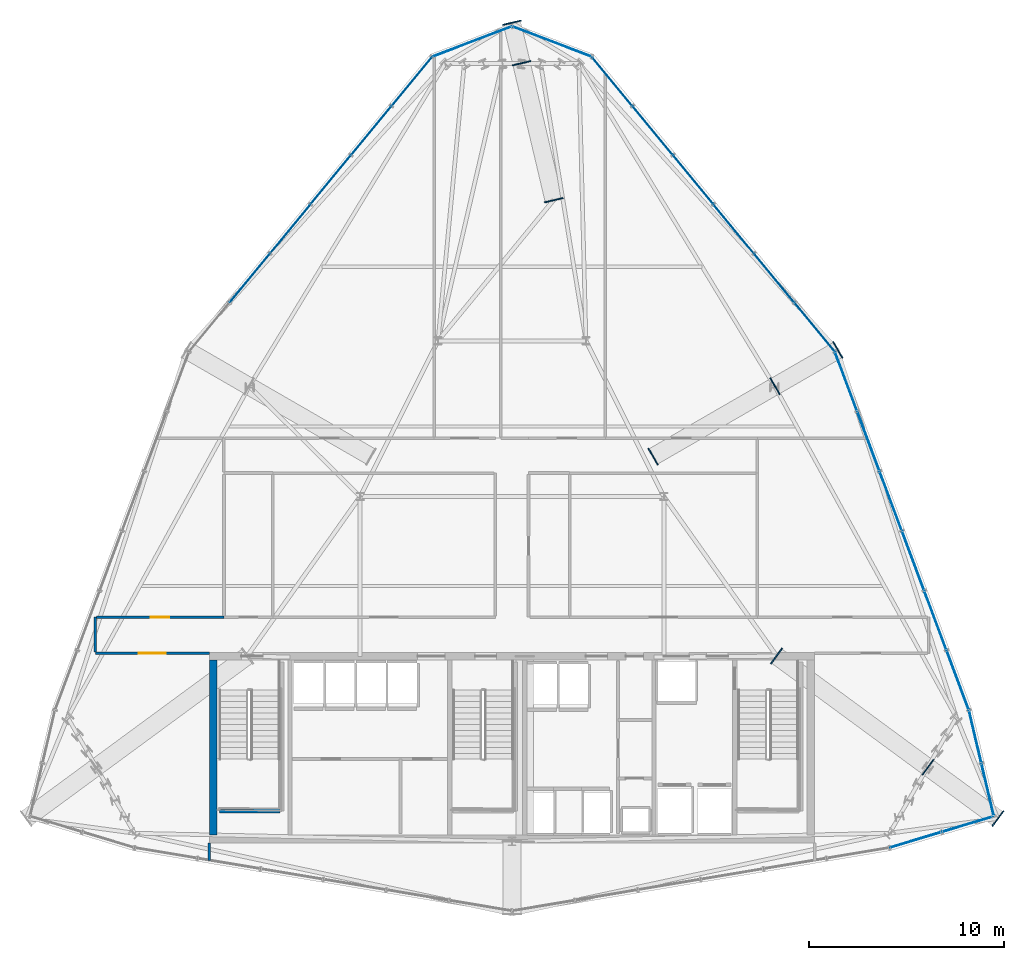
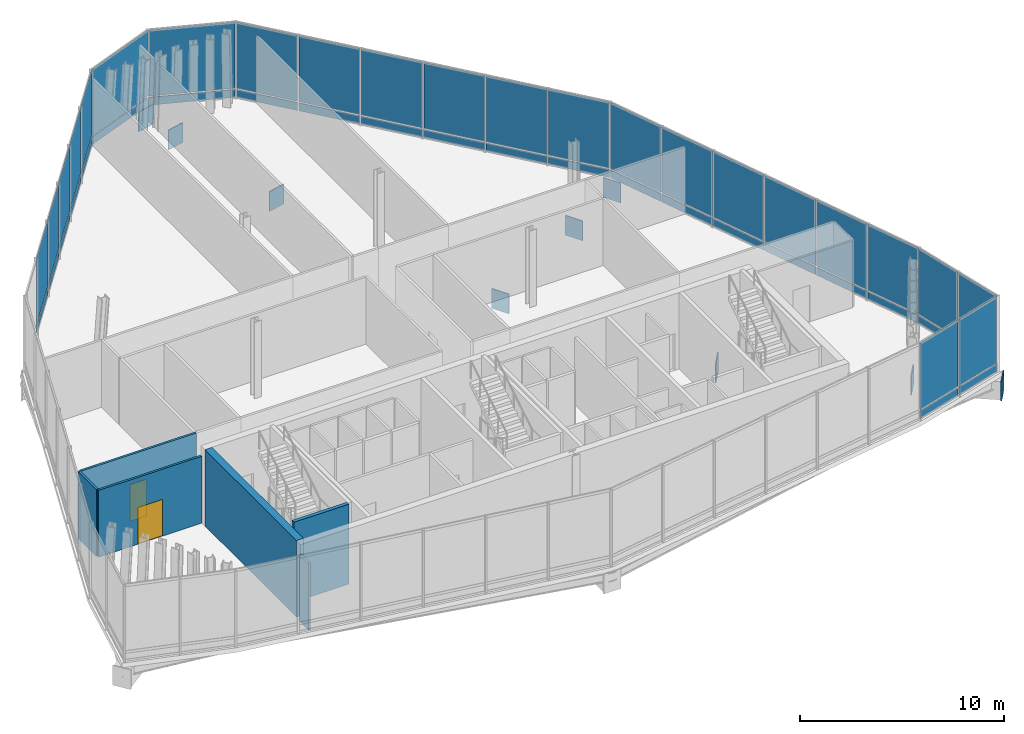
# One storey, part 22 of 28: 55 plates, 6 walls, 2 doors, 2 openings, 7 elements without a shape of their own.
"""IFC4 building model written with IfcOpenShell, lengths in metres."""

from ifc_helpers import new_model, si_unit, direction, frame, frame_2d, origin, origin_2d, place, context, subcontext, project, spatial, rectangle, extrude, material, layer, layer_set, type_object, element, fill, aggregate, save


model = new_model("IFC4")

# Units and contexts
model_context = context("Model", 3, precision=1e-05, world=origin(), true_north=direction((0.0, 1.0)))
body_context = subcontext(model_context, "Body", "Model", "MODEL_VIEW")
ifc_project = project(units=[si_unit("LENGTHUNIT", "METRE"), si_unit("AREAUNIT", "SQUARE_METRE"), si_unit("VOLUMEUNIT", "CUBIC_METRE"), si_unit("PLANEANGLEUNIT", "RADIAN"), si_unit("MASSUNIT", "GRAM", prefix="KILO")], contexts=[model_context])

# Site, building, storey
site_placement = place(None, origin())
site = spatial("IfcSite", under=ifc_project, at=site_placement, CompositionType="ELEMENT")
building_placement = place(site_placement, origin())
building = spatial("IfcBuilding", under=site, at=building_placement, Name="Ndaravel Arena Tower", CompositionType="ELEMENT")
storey_placement = place(building_placement, frame((0.0, 0.0, 213.199951171875)))
storey = spatial("IfcBuildingStorey", under=building, at=storey_placement, Name="L51", CompositionType="ELEMENT", Elevation=213.199951171875)

# Plates
ifc_material_1 = material(Name="Steel S460", Category="steel")
ifc_layer_1 = layer(ifc_material_1, 0.06005859375)
ifc_layer_set_1 = layer_set([ifc_layer_1], Name="Steel S460")
plate_type_1 = type_object("IfcPlateType", Name="PLT-CAP-STF1", PredefinedType="USERDEFINED", material=ifc_layer_set_1)
for number, where, z_axis, x_axis, name in (
    (1, (55.59130859375, 15.0087890625, -1.419921875), (0.0, 0.0, 1.0), (0.805824944182, -0.592153830802, 0.0), "L51 Hollow Section Sealed End Cap Plate HCP-065"),
    (2, (63.3701171875, 9.2919921875, -1.419921875), (0.0, 0.0, 1.0), (0.805824944182, -0.592153830802, 0.0), "L51 Hollow Section Sealed End Cap Plate HCP-066"),
    (3, (66.96142578125, 6.65234375, -1.419921875), (0.0, 0.0, 1.0), (0.805824944182, -0.592153830802, 0.0), "L51 Hollow Section Sealed End Cap Plate HCP-067"),
    (4, (49.24951171875, 25.251220703125, -1.419921875), (0.0, 0.0, 1.0), (0.866025403784, 0.5, 0.0), "L51 Hollow Section Sealed End Cap Plate HCP-068"),
    (5, (55.5107421875, 28.8662109375, -1.419921875), (0.0, 0.0, 1.0), (0.866025403784, 0.5, 0.0), "L51 Hollow Section Sealed End Cap Plate HCP-069"),
    (6, (58.740966796875, 30.731201171875, -1.419921875), (0.0, 0.0, 1.0), (0.866025403784, 0.5, 0.0), "L51 Hollow Section Sealed End Cap Plate HCP-070"),
    (7, (44.145263671875, 38.422119140625, -1.419921875), (0.0, 0.0, 1.0), (-0.22937027416, 0.973339240621, 0.0), "L51 Hollow Section Sealed End Cap Plate HCP-071"),
    (8, (42.48681640625, 45.45947265625, -1.419921875), (0.0, 0.0, 1.0), (-0.22937027416, 0.973339240621, 0.0), "L51 Hollow Section Sealed End Cap Plate HCP-072"),
    (9, (41.99658203125, 47.539306640625, -1.419921875), (0.0, 0.0, 1.0), (-0.22937027416, 0.973339240621, 0.0), "L51 Hollow Section Sealed End Cap Plate HCP-073"),
):
    element("IfcPlate", number, at=place(storey_placement, frame(where, z_axis=z_axis, x_axis=x_axis)), inside=storey, type_object=plate_type_1, Name=name, ObjectType="STIFFENER_PLATE", PredefinedType="USERDEFINED", context=body_context, shape_type="SweptSolid", body=[
        extrude(rectangle(XDim=0.06005859375, YDim=0.97998046875, at=origin_2d()), origin(), (0.0, 0.0, 1.0), 1.179931640625),
    ])

# Curtain wall, plates
ifc_material_2 = material(Name="Aluminium", Category="aluminium")
ifc_layer_2 = layer(ifc_material_2, 0.179931640625)
ifc_layer_set_2 = layer_set([ifc_layer_2], Name="Aluminium")
curtain_wall_type = type_object("IfcCurtainWallType", Name="CW-SYS-04", PredefinedType="NOTDEFINED", material=ifc_layer_set_2)
curtain_wall_1_placement = place(storey_placement, origin())
curtain_wall_1 = element("IfcCurtainWall", 10, at=curtain_wall_1_placement, inside=storey, type_object=curtain_wall_type, Name="L51 Faceted Crystal Curtain Wall CW-L51-E04", PredefinedType="NOTDEFINED")
ifc_material_3 = material(Name="Glazing", Category="glass")
ifc_layer_3 = layer(ifc_material_3, 0.0400390625)
ifc_layer_set_3 = layer_set([ifc_layer_3], Name="Glazing")
plate_type_2 = type_object("IfcPlateType", Name="PLT-GLZ-LOWIRON", PredefinedType="CURTAIN_PANEL", material=ifc_layer_set_3)
plate_1_placement = place(storey_placement, frame((62.734375, 5.559814453125, 0.58984375), z_axis=(0.0, 0.0, 1.0), x_axis=(0.957576390633, 0.288179555317, 0.0)))
plate_1 = element("IfcPlate", 11, at=plate_1_placement, type_object=plate_type_2, Name="CW-L51-E04 Vision Glass Panel 01", PredefinedType="CURTAIN_PANEL", context=body_context, shape_type="SweptSolid", body=[
    extrude(rectangle(XDim=2.72216796875, YDim=0.035888671875, at=origin_2d()), origin(), (0.0, 0.0, 1.0), 3.949951171875),
])
plate_2_placement = place(storey_placement, frame((65.41748046875, 6.367431640625, 0.58984375), z_axis=(0.0, 0.0, 1.0), x_axis=(0.957576390633, 0.288179555317, 0.0)))
plate_2 = element("IfcPlate", 12, at=plate_2_placement, type_object=plate_type_2, Name="CW-L51-E04 Vision Glass Panel 02", PredefinedType="CURTAIN_PANEL", context=body_context, shape_type="SweptSolid", body=[
    extrude(rectangle(XDim=2.72216796875, YDim=0.035888671875, at=origin_2d()), origin(), (0.0, 0.0, 1.0), 3.949951171875),
])

curtain_wall_2_placement = place(storey_placement, origin())
curtain_wall_2 = element("IfcCurtainWall", 13, at=curtain_wall_2_placement, inside=storey, type_object=curtain_wall_type, Name="L51 Faceted Crystal Curtain Wall CW-L51-E05", PredefinedType="NOTDEFINED")
plate_3_placement = place(storey_placement, frame((66.43798828125, 8.135009765625, 0.58984375), z_axis=(0.0, 0.0, 1.0), x_axis=(-0.22921737956, 0.973375258011, 0.0)))
plate_3 = element("IfcPlate", 14, at=plate_3_placement, type_object=plate_type_2, Name="CW-L51-E05 Vision Glass Panel 01", PredefinedType="CURTAIN_PANEL", context=body_context, shape_type="SweptSolid", body=[
    extrude(rectangle(XDim=2.72216796875, YDim=0.035888671875, at=origin_2d()), origin(), (0.0, 0.0, 1.0), 3.949951171875),
])
plate_4_placement = place(storey_placement, frame((65.795654296875, 10.8623046875, 0.58984375), z_axis=(0.0, 0.0, 1.0), x_axis=(-0.22921737956, 0.973375258011, 0.0)))
plate_4 = element("IfcPlate", 15, at=plate_4_placement, type_object=plate_type_2, Name="CW-L51-E05 Vision Glass Panel 02", PredefinedType="CURTAIN_PANEL", context=body_context, shape_type="SweptSolid", body=[
    extrude(rectangle(XDim=2.72216796875, YDim=0.035888671875, at=origin_2d()), origin(), (0.0, 0.0, 1.0), 3.949951171875),
])

curtain_wall_3_placement = place(storey_placement, origin())
curtain_wall_3 = element("IfcCurtainWall", 16, at=curtain_wall_3_placement, inside=storey, type_object=curtain_wall_type, Name="L51 Faceted Crystal Curtain Wall CW-L51-E06", PredefinedType="NOTDEFINED")
plate_5_placement = place(storey_placement, frame((64.900634765625, 13.7607421875, 0.58984375), z_axis=(0.0, 0.0, 1.0), x_axis=(-0.350272772461, 0.936647737878, 0.0)))
plate_5 = element("IfcPlate", 17, at=plate_5_placement, type_object=plate_type_2, Name="CW-L51-E06 Vision Glass Panel 01", PredefinedType="CURTAIN_PANEL", context=body_context, shape_type="SweptSolid", body=[
    extrude(rectangle(XDim=3.197021484375, YDim=0.035888671875, at=origin_2d()), origin(), (0.0, 0.0, 1.0), 3.949951171875),
])
plate_6_placement = place(storey_placement, frame((63.752685546875, 16.830078125, 0.58984375), z_axis=(0.0, 0.0, 1.0), x_axis=(-0.350272772461, 0.936647737878, 0.0)))
plate_6 = element("IfcPlate", 18, at=plate_6_placement, type_object=plate_type_2, Name="CW-L51-E06 Vision Glass Panel 02", PredefinedType="CURTAIN_PANEL", context=body_context, shape_type="SweptSolid", body=[
    extrude(rectangle(XDim=3.197021484375, YDim=0.035888671875, at=origin_2d()), origin(), (0.0, 0.0, 1.0), 3.949951171875),
])
plate_7_placement = place(storey_placement, frame((62.60498046875, 19.899658203125, 0.58984375), z_axis=(0.0, 0.0, 1.0), x_axis=(-0.350272772461, 0.936647737878, 0.0)))
plate_7 = element("IfcPlate", 19, at=plate_7_placement, type_object=plate_type_2, Name="CW-L51-E06 Vision Glass Panel 03", PredefinedType="CURTAIN_PANEL", context=body_context, shape_type="SweptSolid", body=[
    extrude(rectangle(XDim=3.197021484375, YDim=0.035888671875, at=origin_2d()), origin(), (0.0, 0.0, 1.0), 3.949951171875),
])
plate_8_placement = place(storey_placement, frame((61.45703125, 22.968994140625, 0.58984375), z_axis=(0.0, 0.0, 1.0), x_axis=(-0.350272772461, 0.936647737878, 0.0)))
plate_8 = element("IfcPlate", 20, at=plate_8_placement, type_object=plate_type_2, Name="CW-L51-E06 Vision Glass Panel 04", PredefinedType="CURTAIN_PANEL", context=body_context, shape_type="SweptSolid", body=[
    extrude(rectangle(XDim=3.197021484375, YDim=0.035888671875, at=origin_2d()), origin(), (0.0, 0.0, 1.0), 3.949951171875),
])
plate_9_placement = place(storey_placement, frame((60.30908203125, 26.03857421875, 0.58984375), z_axis=(0.0, 0.0, 1.0), x_axis=(-0.350272772461, 0.936647737878, 0.0)))
plate_9 = element("IfcPlate", 21, at=plate_9_placement, type_object=plate_type_2, Name="CW-L51-E06 Vision Glass Panel 05", PredefinedType="CURTAIN_PANEL", context=body_context, shape_type="SweptSolid", body=[
    extrude(rectangle(XDim=3.197021484375, YDim=0.035888671875, at=origin_2d()), origin(), (0.0, 0.0, 1.0), 3.949951171875),
])
plate_10_placement = place(storey_placement, frame((59.161376953125, 29.10791015625, 0.58984375), z_axis=(0.0, 0.0, 1.0), x_axis=(-0.350272772461, 0.936647737878, 0.0)))
plate_10 = element("IfcPlate", 22, at=plate_10_placement, type_object=plate_type_2, Name="CW-L51-E06 Vision Glass Panel 06", PredefinedType="CURTAIN_PANEL", context=body_context, shape_type="SweptSolid", body=[
    extrude(rectangle(XDim=3.197021484375, YDim=0.035888671875, at=origin_2d()), origin(), (0.0, 0.0, 1.0), 3.949951171875),
])

curtain_wall_4_placement = place(storey_placement, origin())
curtain_wall_4 = element("IfcCurtainWall", 23, at=curtain_wall_4_placement, inside=storey, type_object=curtain_wall_type, Name="L51 Faceted Crystal Curtain Wall CW-L51-E07", PredefinedType="NOTDEFINED")
plate_11_placement = place(storey_placement, frame((57.547119140625, 31.90478515625, 0.58984375), z_axis=(0.0, 0.0, 1.0), x_axis=(-0.636024349169, 0.771668988144, 0.0)))
plate_11 = element("IfcPlate", 24, at=plate_11_placement, type_object=plate_type_2, Name="CW-L51-E07 Vision Glass Panel 01", PredefinedType="CURTAIN_PANEL", context=body_context, shape_type="SweptSolid", body=[
    extrude(rectangle(XDim=3.191650390625, YDim=0.035888671875, at=origin_2d()), origin(), (0.0, 0.0, 1.0), 3.949951171875),
])
plate_12_placement = place(storey_placement, frame((55.466064453125, 34.429443359375, 0.58984375), z_axis=(0.0, 0.0, 1.0), x_axis=(-0.636024349169, 0.771668988144, 0.0)))
plate_12 = element("IfcPlate", 25, at=plate_12_placement, type_object=plate_type_2, Name="CW-L51-E07 Vision Glass Panel 02", PredefinedType="CURTAIN_PANEL", context=body_context, shape_type="SweptSolid", body=[
    extrude(rectangle(XDim=3.191650390625, YDim=0.035888671875, at=origin_2d()), origin(), (0.0, 0.0, 1.0), 3.949951171875),
])
plate_13_placement = place(storey_placement, frame((53.38525390625, 36.9541015625, 0.58984375), z_axis=(0.0, 0.0, 1.0), x_axis=(-0.636024349169, 0.771668988144, 0.0)))
plate_13 = element("IfcPlate", 26, at=plate_13_placement, type_object=plate_type_2, Name="CW-L51-E07 Vision Glass Panel 03", PredefinedType="CURTAIN_PANEL", context=body_context, shape_type="SweptSolid", body=[
    extrude(rectangle(XDim=3.191650390625, YDim=0.035888671875, at=origin_2d()), origin(), (0.0, 0.0, 1.0), 3.949951171875),
])
plate_14_placement = place(storey_placement, frame((51.304443359375, 39.478759765625, 0.58984375), z_axis=(0.0, 0.0, 1.0), x_axis=(-0.636024349169, 0.771668988144, 0.0)))
plate_14 = element("IfcPlate", 27, at=plate_14_placement, type_object=plate_type_2, Name="CW-L51-E07 Vision Glass Panel 04", PredefinedType="CURTAIN_PANEL", context=body_context, shape_type="SweptSolid", body=[
    extrude(rectangle(XDim=3.191650390625, YDim=0.035888671875, at=origin_2d()), origin(), (0.0, 0.0, 1.0), 3.949951171875),
])
plate_15_placement = place(storey_placement, frame((49.2236328125, 42.00341796875, 0.58984375), z_axis=(0.0, 0.0, 1.0), x_axis=(-0.636024349169, 0.771668988144, 0.0)))
plate_15 = element("IfcPlate", 28, at=plate_15_placement, type_object=plate_type_2, Name="CW-L51-E07 Vision Glass Panel 05", PredefinedType="CURTAIN_PANEL", context=body_context, shape_type="SweptSolid", body=[
    extrude(rectangle(XDim=3.191650390625, YDim=0.035888671875, at=origin_2d()), origin(), (0.0, 0.0, 1.0), 3.949951171875),
])
plate_16_placement = place(storey_placement, frame((47.142578125, 44.528076171875, 0.58984375), z_axis=(0.0, 0.0, 1.0), x_axis=(-0.636024349169, 0.771668988144, 0.0)))
plate_16 = element("IfcPlate", 29, at=plate_16_placement, type_object=plate_type_2, Name="CW-L51-E07 Vision Glass Panel 06", PredefinedType="CURTAIN_PANEL", context=body_context, shape_type="SweptSolid", body=[
    extrude(rectangle(XDim=3.191650390625, YDim=0.035888671875, at=origin_2d()), origin(), (0.0, 0.0, 1.0), 3.949951171875),
])

# Curtain wall, plate
curtain_wall_5_placement = place(storey_placement, origin())
curtain_wall_5 = element("IfcCurtainWall", 30, at=curtain_wall_5_placement, inside=storey, type_object=curtain_wall_type, Name="L51 Faceted Crystal Curtain Wall CW-L51-E08", PredefinedType="NOTDEFINED")
plate_17_placement = place(storey_placement, frame((44.051025390625, 46.572021484375, 0.58984375), z_axis=(0.0, 0.0, 1.0), x_axis=(-0.934453296747, 0.356085714679, 0.0)))
plate_17 = element("IfcPlate", 31, at=plate_17_placement, type_object=plate_type_2, Name="CW-L51-E08 Vision Glass Panel 01", PredefinedType="CURTAIN_PANEL", context=body_context, shape_type="SweptSolid", body=[
    extrude(rectangle(XDim=4.31005859375, YDim=0.035888671875, at=origin_2d()), origin(), (0.0, 0.0, 1.0), 3.949951171875),
])

curtain_wall_6_placement = place(storey_placement, origin())
curtain_wall_6 = element("IfcCurtainWall", 32, at=curtain_wall_6_placement, inside=storey, type_object=curtain_wall_type, Name="L51 Faceted Crystal Curtain Wall CW-L51-E09", PredefinedType="NOTDEFINED")
plate_18_placement = place(storey_placement, frame((39.948974609375, 46.572021484375, 0.58984375), z_axis=(0.0, 0.0, 1.0), x_axis=(-0.934453296747, -0.356085714679, 0.0)))
plate_18 = element("IfcPlate", 33, at=plate_18_placement, type_object=plate_type_2, Name="CW-L51-E09 Vision Glass Panel 01", PredefinedType="CURTAIN_PANEL", context=body_context, shape_type="SweptSolid", body=[
    extrude(rectangle(XDim=4.31005859375, YDim=0.035888671875, at=origin_2d()), origin(), (0.0, 0.0, 1.0), 3.949951171875),
])

# Curtain wall, plates
curtain_wall_7_placement = place(storey_placement, origin())
curtain_wall_7 = element("IfcCurtainWall", 34, at=curtain_wall_7_placement, inside=storey, type_object=curtain_wall_type, Name="L51 Faceted Crystal Curtain Wall CW-L51-E10", PredefinedType="NOTDEFINED")
plate_19_placement = place(storey_placement, frame((36.857421875, 44.528076171875, 0.58984375), z_axis=(0.0, 0.0, 1.0), x_axis=(-0.636024349169, -0.771668988144, 0.0)))
plate_19 = element("IfcPlate", 35, at=plate_19_placement, type_object=plate_type_2, Name="CW-L51-E10 Vision Glass Panel 01", PredefinedType="CURTAIN_PANEL", context=body_context, shape_type="SweptSolid", body=[
    extrude(rectangle(XDim=3.191650390625, YDim=0.035888671875, at=origin_2d()), origin(), (0.0, 0.0, 1.0), 3.949951171875),
])
plate_20_placement = place(storey_placement, frame((34.7763671875, 42.00341796875, 0.58984375), z_axis=(0.0, 0.0, 1.0), x_axis=(-0.636024349169, -0.771668988144, 0.0)))
plate_20 = element("IfcPlate", 36, at=plate_20_placement, type_object=plate_type_2, Name="CW-L51-E10 Vision Glass Panel 02", PredefinedType="CURTAIN_PANEL", context=body_context, shape_type="SweptSolid", body=[
    extrude(rectangle(XDim=3.191650390625, YDim=0.035888671875, at=origin_2d()), origin(), (0.0, 0.0, 1.0), 3.949951171875),
])
plate_21_placement = place(storey_placement, frame((32.695556640625, 39.478759765625, 0.58984375), z_axis=(0.0, 0.0, 1.0), x_axis=(-0.636024349169, -0.771668988144, 0.0)))
plate_21 = element("IfcPlate", 37, at=plate_21_placement, type_object=plate_type_2, Name="CW-L51-E10 Vision Glass Panel 03", PredefinedType="CURTAIN_PANEL", context=body_context, shape_type="SweptSolid", body=[
    extrude(rectangle(XDim=3.191650390625, YDim=0.035888671875, at=origin_2d()), origin(), (0.0, 0.0, 1.0), 3.949951171875),
])
plate_22_placement = place(storey_placement, frame((30.61474609375, 36.9541015625, 0.58984375), z_axis=(0.0, 0.0, 1.0), x_axis=(-0.636024349169, -0.771668988144, 0.0)))
plate_22 = element("IfcPlate", 38, at=plate_22_placement, type_object=plate_type_2, Name="CW-L51-E10 Vision Glass Panel 04", PredefinedType="CURTAIN_PANEL", context=body_context, shape_type="SweptSolid", body=[
    extrude(rectangle(XDim=3.191650390625, YDim=0.035888671875, at=origin_2d()), origin(), (0.0, 0.0, 1.0), 3.949951171875),
])
plate_23_placement = place(storey_placement, frame((28.533935546875, 34.429443359375, 0.58984375), z_axis=(0.0, 0.0, 1.0), x_axis=(-0.636024349169, -0.771668988144, 0.0)))
plate_23 = element("IfcPlate", 39, at=plate_23_placement, type_object=plate_type_2, Name="CW-L51-E10 Vision Glass Panel 05", PredefinedType="CURTAIN_PANEL", context=body_context, shape_type="SweptSolid", body=[
    extrude(rectangle(XDim=3.191650390625, YDim=0.035888671875, at=origin_2d()), origin(), (0.0, 0.0, 1.0), 3.949951171875),
])

# Plate
ifc_material_4 = material(Name="Aluminium", Category="aluminium")
ifc_layer_4 = layer(ifc_material_4, 0.044921875)
ifc_layer_set_4 = layer_set([ifc_layer_4], Name="Aluminium")
plate_type_3 = type_object("IfcPlateType", Name="PLT-SPANDREL-ALU", PredefinedType="SHEET", material=ifc_layer_set_4)
plate_24_placement = place(storey_placement, frame((62.734375, 5.559814453125, 0.0400390625), z_axis=(0.0, 0.0, 1.0), x_axis=(0.957576390633, 0.288179555317, 0.0)))
plate_24 = element("IfcPlate", 40, at=plate_24_placement, type_object=plate_type_3, Name="CW-L51-E04 Spandrel Panel 01", PredefinedType="SHEET", context=body_context, shape_type="SweptSolid", body=[
    extrude(rectangle(XDim=2.72216796875, YDim=0.044921875, at=origin_2d()), origin(), (0.0, 0.0, 1.0), 0.469970703125),
])

plate_25_placement = place(storey_placement, frame((65.41748046875, 6.367431640625, 0.0400390625), z_axis=(0.0, 0.0, 1.0), x_axis=(0.957576390633, 0.288179555317, 0.0)))
plate_25 = element("IfcPlate", 41, at=plate_25_placement, type_object=plate_type_3, Name="CW-L51-E04 Spandrel Panel 02", PredefinedType="SHEET", context=body_context, shape_type="SweptSolid", body=[
    extrude(rectangle(XDim=2.72216796875, YDim=0.044921875, at=origin_2d()), origin(), (0.0, 0.0, 1.0), 0.469970703125),
])

aggregate(curtain_wall_1, [plate_24, plate_1, plate_25, plate_2])

plate_26_placement = place(storey_placement, frame((66.43798828125, 8.135009765625, 0.0400390625), z_axis=(0.0, 0.0, 1.0), x_axis=(-0.22921737956, 0.973375258011, 0.0)))
plate_26 = element("IfcPlate", 42, at=plate_26_placement, type_object=plate_type_3, Name="CW-L51-E05 Spandrel Panel 01", PredefinedType="SHEET", context=body_context, shape_type="SweptSolid", body=[
    extrude(rectangle(XDim=2.72216796875, YDim=0.044921875, at=origin_2d()), origin(), (0.0, 0.0, 1.0), 0.469970703125),
])

plate_27_placement = place(storey_placement, frame((65.795654296875, 10.8623046875, 0.0400390625), z_axis=(0.0, 0.0, 1.0), x_axis=(-0.22921737956, 0.973375258011, 0.0)))
plate_27 = element("IfcPlate", 43, at=plate_27_placement, type_object=plate_type_3, Name="CW-L51-E05 Spandrel Panel 02", PredefinedType="SHEET", context=body_context, shape_type="SweptSolid", body=[
    extrude(rectangle(XDim=2.72216796875, YDim=0.044921875, at=origin_2d()), origin(), (0.0, 0.0, 1.0), 0.469970703125),
])

aggregate(curtain_wall_2, [plate_26, plate_3, plate_27, plate_4])

plate_28_placement = place(storey_placement, frame((64.900634765625, 13.7607421875, 0.0400390625), z_axis=(0.0, 0.0, 1.0), x_axis=(-0.350272772461, 0.936647737878, 0.0)))
plate_28 = element("IfcPlate", 44, at=plate_28_placement, type_object=plate_type_3, Name="CW-L51-E06 Spandrel Panel 01", PredefinedType="SHEET", context=body_context, shape_type="SweptSolid", body=[
    extrude(rectangle(XDim=3.197021484375, YDim=0.044921875, at=origin_2d()), origin(), (0.0, 0.0, 1.0), 0.469970703125),
])

plate_29_placement = place(storey_placement, frame((63.752685546875, 16.830078125, 0.0400390625), z_axis=(0.0, 0.0, 1.0), x_axis=(-0.350272772461, 0.936647737878, 0.0)))
plate_29 = element("IfcPlate", 45, at=plate_29_placement, type_object=plate_type_3, Name="CW-L51-E06 Spandrel Panel 02", PredefinedType="SHEET", context=body_context, shape_type="SweptSolid", body=[
    extrude(rectangle(XDim=3.197021484375, YDim=0.044921875, at=origin_2d()), origin(), (0.0, 0.0, 1.0), 0.469970703125),
])

plate_30_placement = place(storey_placement, frame((62.60498046875, 19.899658203125, 0.0400390625), z_axis=(0.0, 0.0, 1.0), x_axis=(-0.350272772461, 0.936647737878, 0.0)))
plate_30 = element("IfcPlate", 46, at=plate_30_placement, type_object=plate_type_3, Name="CW-L51-E06 Spandrel Panel 03", PredefinedType="SHEET", context=body_context, shape_type="SweptSolid", body=[
    extrude(rectangle(XDim=3.197021484375, YDim=0.044921875, at=origin_2d()), origin(), (0.0, 0.0, 1.0), 0.469970703125),
])

plate_31_placement = place(storey_placement, frame((61.45703125, 22.968994140625, 0.0400390625), z_axis=(0.0, 0.0, 1.0), x_axis=(-0.350272772461, 0.936647737878, 0.0)))
plate_31 = element("IfcPlate", 47, at=plate_31_placement, type_object=plate_type_3, Name="CW-L51-E06 Spandrel Panel 04", PredefinedType="SHEET", context=body_context, shape_type="SweptSolid", body=[
    extrude(rectangle(XDim=3.197021484375, YDim=0.044921875, at=origin_2d()), origin(), (0.0, 0.0, 1.0), 0.469970703125),
])

plate_32_placement = place(storey_placement, frame((60.30908203125, 26.03857421875, 0.0400390625), z_axis=(0.0, 0.0, 1.0), x_axis=(-0.350272772461, 0.936647737878, 0.0)))
plate_32 = element("IfcPlate", 48, at=plate_32_placement, type_object=plate_type_3, Name="CW-L51-E06 Spandrel Panel 05", PredefinedType="SHEET", context=body_context, shape_type="SweptSolid", body=[
    extrude(rectangle(XDim=3.197021484375, YDim=0.044921875, at=origin_2d()), origin(), (0.0, 0.0, 1.0), 0.469970703125),
])

plate_33_placement = place(storey_placement, frame((59.161376953125, 29.10791015625, 0.0400390625), z_axis=(0.0, 0.0, 1.0), x_axis=(-0.350272772461, 0.936647737878, 0.0)))
plate_33 = element("IfcPlate", 49, at=plate_33_placement, type_object=plate_type_3, Name="CW-L51-E06 Spandrel Panel 06", PredefinedType="SHEET", context=body_context, shape_type="SweptSolid", body=[
    extrude(rectangle(XDim=3.197021484375, YDim=0.044921875, at=origin_2d()), origin(), (0.0, 0.0, 1.0), 0.469970703125),
])

aggregate(curtain_wall_3, [plate_28, plate_5, plate_29, plate_6, plate_30, plate_7, plate_31, plate_8, plate_32, plate_9, plate_33, plate_10])

plate_34_placement = place(storey_placement, frame((57.547119140625, 31.90478515625, 0.0400390625), z_axis=(0.0, 0.0, 1.0), x_axis=(-0.636024349169, 0.771668988144, 0.0)))
plate_34 = element("IfcPlate", 50, at=plate_34_placement, type_object=plate_type_3, Name="CW-L51-E07 Spandrel Panel 01", PredefinedType="SHEET", context=body_context, shape_type="SweptSolid", body=[
    extrude(rectangle(XDim=3.191650390625, YDim=0.044921875, at=origin_2d()), origin(), (0.0, 0.0, 1.0), 0.469970703125),
])

plate_35_placement = place(storey_placement, frame((55.466064453125, 34.429443359375, 0.0400390625), z_axis=(0.0, 0.0, 1.0), x_axis=(-0.636024349169, 0.771668988144, 0.0)))
plate_35 = element("IfcPlate", 51, at=plate_35_placement, type_object=plate_type_3, Name="CW-L51-E07 Spandrel Panel 02", PredefinedType="SHEET", context=body_context, shape_type="SweptSolid", body=[
    extrude(rectangle(XDim=3.191650390625, YDim=0.044921875, at=origin_2d()), origin(), (0.0, 0.0, 1.0), 0.469970703125),
])

plate_36_placement = place(storey_placement, frame((53.38525390625, 36.9541015625, 0.0400390625), z_axis=(0.0, 0.0, 1.0), x_axis=(-0.636024349169, 0.771668988144, 0.0)))
plate_36 = element("IfcPlate", 52, at=plate_36_placement, type_object=plate_type_3, Name="CW-L51-E07 Spandrel Panel 03", PredefinedType="SHEET", context=body_context, shape_type="SweptSolid", body=[
    extrude(rectangle(XDim=3.191650390625, YDim=0.044921875, at=origin_2d()), origin(), (0.0, 0.0, 1.0), 0.469970703125),
])

plate_37_placement = place(storey_placement, frame((51.304443359375, 39.478759765625, 0.0400390625), z_axis=(0.0, 0.0, 1.0), x_axis=(-0.636024349169, 0.771668988144, 0.0)))
plate_37 = element("IfcPlate", 53, at=plate_37_placement, type_object=plate_type_3, Name="CW-L51-E07 Spandrel Panel 04", PredefinedType="SHEET", context=body_context, shape_type="SweptSolid", body=[
    extrude(rectangle(XDim=3.191650390625, YDim=0.044921875, at=origin_2d()), origin(), (0.0, 0.0, 1.0), 0.469970703125),
])

plate_38_placement = place(storey_placement, frame((49.2236328125, 42.00341796875, 0.0400390625), z_axis=(0.0, 0.0, 1.0), x_axis=(-0.636024349169, 0.771668988144, 0.0)))
plate_38 = element("IfcPlate", 54, at=plate_38_placement, type_object=plate_type_3, Name="CW-L51-E07 Spandrel Panel 05", PredefinedType="SHEET", context=body_context, shape_type="SweptSolid", body=[
    extrude(rectangle(XDim=3.191650390625, YDim=0.044921875, at=origin_2d()), origin(), (0.0, 0.0, 1.0), 0.469970703125),
])

plate_39_placement = place(storey_placement, frame((47.142578125, 44.528076171875, 0.0400390625), z_axis=(0.0, 0.0, 1.0), x_axis=(-0.636024349169, 0.771668988144, 0.0)))
plate_39 = element("IfcPlate", 55, at=plate_39_placement, type_object=plate_type_3, Name="CW-L51-E07 Spandrel Panel 06", PredefinedType="SHEET", context=body_context, shape_type="SweptSolid", body=[
    extrude(rectangle(XDim=3.191650390625, YDim=0.044921875, at=origin_2d()), origin(), (0.0, 0.0, 1.0), 0.469970703125),
])

aggregate(curtain_wall_4, [plate_34, plate_11, plate_35, plate_12, plate_36, plate_13, plate_37, plate_14, plate_38, plate_15, plate_39, plate_16])

plate_40_placement = place(storey_placement, frame((44.051025390625, 46.572021484375, 0.0400390625), z_axis=(0.0, 0.0, 1.0), x_axis=(-0.934453296747, 0.356085714679, 0.0)))
plate_40 = element("IfcPlate", 56, at=plate_40_placement, type_object=plate_type_3, Name="CW-L51-E08 Spandrel Panel 01", PredefinedType="SHEET", context=body_context, shape_type="SweptSolid", body=[
    extrude(rectangle(XDim=4.31005859375, YDim=0.044921875, at=origin_2d()), origin(), (0.0, 0.0, 1.0), 0.469970703125),
])

aggregate(curtain_wall_5, [plate_40, plate_17])

plate_41_placement = place(storey_placement, frame((39.948974609375, 46.572021484375, 0.0400390625), z_axis=(0.0, 0.0, 1.0), x_axis=(-0.934453296747, -0.356085714679, 0.0)))
plate_41 = element("IfcPlate", 57, at=plate_41_placement, type_object=plate_type_3, Name="CW-L51-E09 Spandrel Panel 01", PredefinedType="SHEET", context=body_context, shape_type="SweptSolid", body=[
    extrude(rectangle(XDim=4.31005859375, YDim=0.044921875, at=origin_2d()), origin(), (0.0, 0.0, 1.0), 0.469970703125),
])

aggregate(curtain_wall_6, [plate_41, plate_18])

plate_42_placement = place(storey_placement, frame((36.857421875, 44.528076171875, 0.0400390625), z_axis=(0.0, 0.0, 1.0), x_axis=(-0.636024349169, -0.771668988144, 0.0)))
plate_42 = element("IfcPlate", 58, at=plate_42_placement, type_object=plate_type_3, Name="CW-L51-E10 Spandrel Panel 01", PredefinedType="SHEET", context=body_context, shape_type="SweptSolid", body=[
    extrude(rectangle(XDim=3.191650390625, YDim=0.044921875, at=origin_2d()), origin(), (0.0, 0.0, 1.0), 0.469970703125),
])

plate_43_placement = place(storey_placement, frame((34.7763671875, 42.00341796875, 0.0400390625), z_axis=(0.0, 0.0, 1.0), x_axis=(-0.636024349169, -0.771668988144, 0.0)))
plate_43 = element("IfcPlate", 59, at=plate_43_placement, type_object=plate_type_3, Name="CW-L51-E10 Spandrel Panel 02", PredefinedType="SHEET", context=body_context, shape_type="SweptSolid", body=[
    extrude(rectangle(XDim=3.191650390625, YDim=0.044921875, at=origin_2d()), origin(), (0.0, 0.0, 1.0), 0.469970703125),
])

plate_44_placement = place(storey_placement, frame((32.695556640625, 39.478759765625, 0.0400390625), z_axis=(0.0, 0.0, 1.0), x_axis=(-0.636024349169, -0.771668988144, 0.0)))
plate_44 = element("IfcPlate", 60, at=plate_44_placement, type_object=plate_type_3, Name="CW-L51-E10 Spandrel Panel 03", PredefinedType="SHEET", context=body_context, shape_type="SweptSolid", body=[
    extrude(rectangle(XDim=3.191650390625, YDim=0.044921875, at=origin_2d()), origin(), (0.0, 0.0, 1.0), 0.469970703125),
])

plate_45_placement = place(storey_placement, frame((30.61474609375, 36.9541015625, 0.0400390625), z_axis=(0.0, 0.0, 1.0), x_axis=(-0.636024349169, -0.771668988144, 0.0)))
plate_45 = element("IfcPlate", 61, at=plate_45_placement, type_object=plate_type_3, Name="CW-L51-E10 Spandrel Panel 04", PredefinedType="SHEET", context=body_context, shape_type="SweptSolid", body=[
    extrude(rectangle(XDim=3.191650390625, YDim=0.044921875, at=origin_2d()), origin(), (0.0, 0.0, 1.0), 0.469970703125),
])

plate_46_placement = place(storey_placement, frame((28.533935546875, 34.429443359375, 0.0400390625), z_axis=(0.0, 0.0, 1.0), x_axis=(-0.636024349169, -0.771668988144, 0.0)))
plate_46 = element("IfcPlate", 62, at=plate_46_placement, type_object=plate_type_3, Name="CW-L51-E10 Spandrel Panel 05", PredefinedType="SHEET", context=body_context, shape_type="SweptSolid", body=[
    extrude(rectangle(XDim=3.191650390625, YDim=0.044921875, at=origin_2d()), origin(), (0.0, 0.0, 1.0), 0.469970703125),
])

aggregate(curtain_wall_7, [plate_42, plate_19, plate_43, plate_20, plate_44, plate_21, plate_45, plate_22, plate_46, plate_23])

# Wall
ifc_material_5 = material(Name="Concrete C50/60", Category="concrete")
ifc_layer_5 = layer(ifc_material_5, 0.39990234375)
ifc_layer_set_5 = layer_set([ifc_layer_5], Name="Concrete C50/60")
wall_type_1 = type_object("IfcWallType", Name="WALL-CORE-400", PredefinedType="SOLIDWALL", material=ifc_layer_set_5)
wall_1_placement = place(storey_placement, frame((26.64990234375, 5.800048828125, 0.0), z_axis=(0.0, 0.0, 1.0), x_axis=(0.0, 1.0, 0.0)))
element("IfcWall", 63, at=wall_1_placement, inside=storey, type_object=wall_type_1, Name="L51 Core West Shear Wall", PredefinedType="SOLIDWALL", context=body_context, shape_type="SweptSolid", body=[
    extrude(rectangle(XDim=9.0, YDim=0.39990234375, at=frame_2d((4.5, 0.0))), origin(), (0.0, 0.0, 1.0), 4.580078125),
])

# Wall, opening, door
ifc_material_6 = material(Name="Gypsum", Category="gypsum")
ifc_layer_6 = layer(ifc_material_6, 0.125)
ifc_layer_set_6 = layer_set([ifc_layer_6], Name="Gypsum")
wall_type_2 = type_object("IfcWallType", Name="WALL-PART-125", PredefinedType="PARTITIONING", material=ifc_layer_set_6)
wall_2_placement = place(storey_placement, frame((26.449951171875, 15.14990234375, 0.0), z_axis=(0.0, 0.0, 1.0), x_axis=(-1.0, 0.0, 0.0)))
wall_2 = element("IfcWall", 64, at=wall_2_placement, inside=storey, type_object=wall_type_2, Name="L51 Interior Partition 003", PredefinedType="PARTITIONING", context=body_context, shape_type="SweptSolid", body=[
    extrude(rectangle(XDim=5.85693359375, YDim=0.125, at=frame_2d((2.928466796875, 0.0))), origin(), (0.0, 0.0, 1.0), 4.010498046875),
])
opening_1_placement = place(wall_2_placement, frame((2.228515625, 0.0, 0.0)))
opening_1 = element("IfcOpeningElement", 65, at=opening_1_placement, cuts=wall_2, Name="Opening ID-02", PredefinedType="OPENING", context=body_context, shape_type="SweptSolid", body=[
    extrude(rectangle(XDim=1.39990234375, YDim=2.199951171875, at=frame_2d((0.699951171875, 1.10009765625))), frame((0.0, 0.0625, 0.0), z_axis=(0.0, -1.0, 0.0), x_axis=(1.0, 0.0, 0.0)), (0.0, 0.0, 1.0), 0.125),
])
ifc_material_7 = material(Name="Timber", Category="wood")
door_type_1 = type_object("IfcDoorType", Name="DT-04-SUITE-1400", OperationType="DOUBLE_DOOR_SINGLE_SWING", PredefinedType="DOOR", material=ifc_material_7)
door_1_placement = place(opening_1_placement, origin())
door_1 = element("IfcDoor", 66, at=door_1_placement, inside=storey, type_object=door_type_1, Name="L51 Collaborative Lounge Door", OperationType="SINGLE_SWING_RIGHT", OverallHeight=2.199951171875, OverallWidth=1.39990234375, PredefinedType="DOOR", context=body_context, shape_type="SweptSolid", body=[
    extrude(rectangle(XDim=1.39990234375, YDim=2.199951171875, at=frame_2d((0.699951171875, 1.10009765625))), frame((0.0, 0.02490234375, 0.0), z_axis=(0.0, -1.0, 0.0), x_axis=(1.0, 0.0, 0.0)), (0.0, 0.0, 1.0), 0.050048828125),
])
fill(opening_1, door_1)

# Wall
wall_3_placement = place(storey_placement, frame((20.593017578125, 15.215087890625, 0.0), z_axis=(0.0, 0.0, 1.0), x_axis=(0.0, 1.0, 0.0)))
element("IfcWall", 67, at=wall_3_placement, inside=storey, type_object=wall_type_2, Name="L51 Interior Partition 004", PredefinedType="PARTITIONING", context=body_context, shape_type="SweptSolid", body=[
    extrude(rectangle(XDim=1.784912109375, YDim=0.125, at=frame_2d((0.892578125, 0.0))), origin(), (0.0, 0.0, 1.0), 4.010498046875),
])

# Wall, opening, door
wall_4_placement = place(storey_placement, frame((20.657958984375, 17.0, 0.0), z_axis=(0.0, 0.0, 1.0), x_axis=(1.0, 0.0, 0.0)))
wall_4 = element("IfcWall", 68, at=wall_4_placement, inside=storey, type_object=wall_type_2, Name="L51 Interior Partition 005", PredefinedType="PARTITIONING", context=body_context, shape_type="SweptSolid", body=[
    extrude(rectangle(XDim=6.5419921875, YDim=0.125, at=frame_2d((3.27099609375, 0.0))), origin(), (0.0, 0.0, 1.0), 4.010498046875),
])
opening_2_placement = place(wall_4_placement, frame((2.7958984375, 0.0, 0.0)))
opening_2 = element("IfcOpeningElement", 69, at=opening_2_placement, cuts=wall_4, Name="Opening ID-01", PredefinedType="OPENING", context=body_context, shape_type="SweptSolid", body=[
    extrude(rectangle(XDim=0.949951171875, YDim=2.199951171875, at=frame_2d((0.47509765625, 1.10009765625))), frame((0.0, 0.0625, 0.0), z_axis=(0.0, -1.0, 0.0), x_axis=(1.0, 0.0, 0.0)), (0.0, 0.0, 1.0), 0.125),
])
ifc_material_8 = material(Name="Timber", Category="wood")
door_type_2 = type_object("IfcDoorType", Name="DT-03-OFFICE-950", OperationType="SINGLE_SWING_LEFT", PredefinedType="DOOR", material=ifc_material_8)
door_2_placement = place(opening_2_placement, origin())
door_2 = element("IfcDoor", 70, at=door_2_placement, inside=storey, type_object=door_type_2, Name="L51 Hospitality Sitting Room 2 Door", OperationType="SINGLE_SWING_RIGHT", OverallHeight=2.199951171875, OverallWidth=0.949951171875, PredefinedType="DOOR", context=body_context, shape_type="SweptSolid", body=[
    extrude(rectangle(XDim=0.949951171875, YDim=2.199951171875, at=frame_2d((0.47509765625, 1.10009765625))), frame((0.0, 0.02490234375, 0.0), z_axis=(0.0, -1.0, 0.0), x_axis=(1.0, 0.0, 0.0)), (0.0, 0.0, 1.0), 0.050048828125),
])
fill(opening_2, door_2)

# Walls
wall_5_placement = place(storey_placement, frame((26.449951171875, 5.39794921875, 0.0), z_axis=(0.0, 0.0, 1.0), x_axis=(0.0, -1.0, 0.0)))
element("IfcWall", 71, at=wall_5_placement, inside=storey, type_object=wall_type_2, Name="L51 Interior Partition 024", PredefinedType="PARTITIONING", context=body_context, shape_type="SweptSolid", body=[
    extrude(rectangle(XDim=0.884765625, YDim=0.125, at=frame_2d((0.4423828125, 0.0))), origin(), (0.0, 0.0, 1.0), 4.010498046875),
])
ifc_material_9 = material(Name="Concrete C40/50", Category="concrete")
ifc_layer_7 = layer(ifc_material_9, 0.199951171875)
ifc_layer_set_7 = layer_set([ifc_layer_7], Name="Concrete C40/50")
wall_type_3 = type_object("IfcWallType", Name="WALL-SHAFT-200", PredefinedType="SOLIDWALL", material=ifc_layer_set_7)
wall_6_placement = place(storey_placement, frame((26.969970703125, 7.050048828125, 0.0), z_axis=(0.0, 0.0, 1.0), x_axis=(1.0, 0.0, 0.0)))
element("IfcWall", 72, at=wall_6_placement, inside=storey, type_object=wall_type_3, Name="L51 ST-1 Structural Shaft Wall Far", PredefinedType="SOLIDWALL", context=body_context, shape_type="SweptSolid", body=[
    extrude(rectangle(XDim=3.114990234375, YDim=0.199951171875, at=frame_2d((1.5576171875, 0.0))), origin(), (0.0, 0.0, 1.0), 4.800048828125),
])

save(model, "model.ifc")
